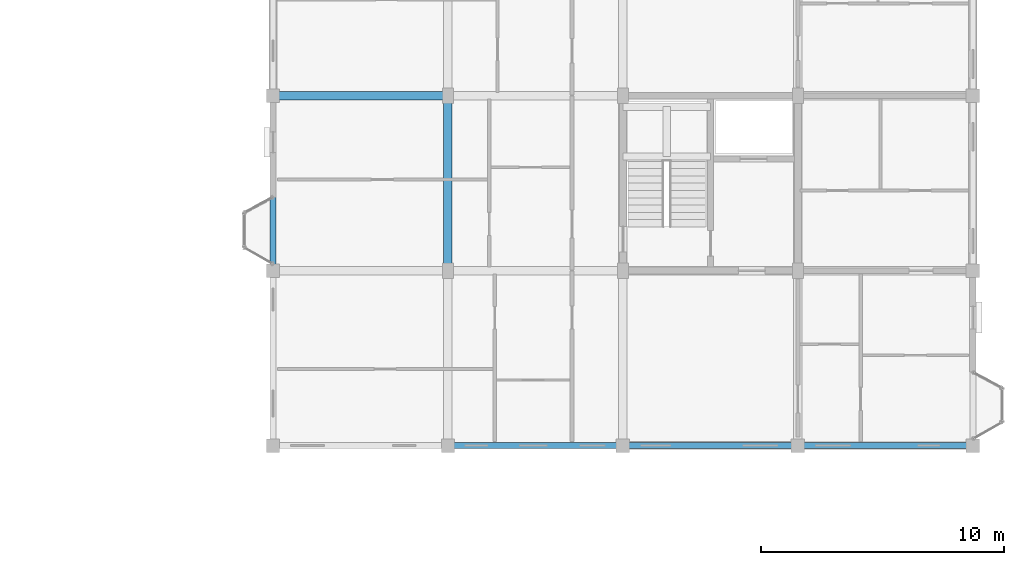
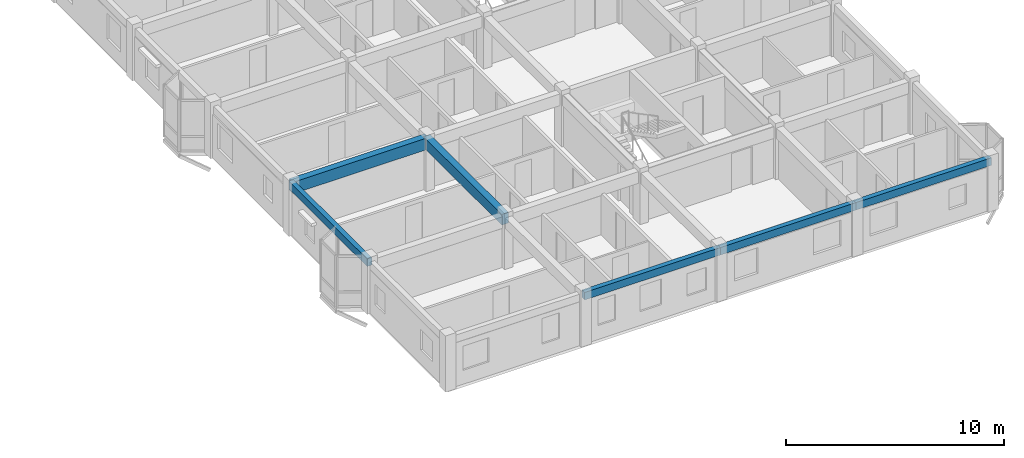
# One storey, part 22 of 77: 6 beams.
"""IFC4 building model written with IfcOpenShell, lengths in metres."""

from ifc_helpers import new_model, si_unit, direction, frame, origin, origin_2d, place, context, subcontext, project, spatial, rectangle, extrude, material, material_profile, profile_set, type_object, element, save


model = new_model("IFC4")

# Units and contexts
model_context = context("Model", 3, precision=1e-05, world=origin(), true_north=direction((0.0, 1.0)))
body_context = subcontext(model_context, "Body", "Model", "MODEL_VIEW")
ifc_project = project(units=[si_unit("LENGTHUNIT", "METRE"), si_unit("AREAUNIT", "SQUARE_METRE"), si_unit("VOLUMEUNIT", "CUBIC_METRE"), si_unit("PLANEANGLEUNIT", "RADIAN"), si_unit("MASSUNIT", "GRAM", prefix="KILO"), si_unit("THERMODYNAMICTEMPERATUREUNIT", "KELVIN"), si_unit("POWERUNIT", "WATT")], contexts=[model_context])

# Site, building, storey
site_placement = place(None, origin())
site = spatial("IfcSite", under=ifc_project, at=site_placement, CompositionType="ELEMENT")
building_placement = place(site_placement, origin())
building = spatial("IfcBuilding", under=site, at=building_placement, Name="Tavuni Mirador Residences", CompositionType="ELEMENT")
storey_placement = place(building_placement, frame((0.0, 0.0, 17.10009765625)))
storey = spatial("IfcBuildingStorey", under=building, at=storey_placement, Name="L05", CompositionType="ELEMENT", Elevation=17.10009765625)

# Beams
ifc_material = material(Name="Precast concrete C40/50", Category="concrete")
ifc_material_profile_1 = material_profile(ifc_material, rectangle(XDim=0.35009765625, YDim=0.60009765625, at=origin_2d()), Name="PC 350x600", Category="concrete")
ifc_profile_set_1 = profile_set([ifc_material_profile_1], Name="Precast concrete C40/50")
beam_type_1 = type_object("IfcBeamType", Name="BT-B600", PredefinedType="BEAM", material=ifc_profile_set_1)
beam_1_placement = place(storey_placement, frame((97.199951171875, 93.60009765625, 2.58984375), z_axis=(0.0, 1.0, 0.0), x_axis=(-1.0, 0.0, 0.0)))
element("IfcBeam", 1, at=beam_1_placement, inside=storey, type_object=beam_type_1, Name="BMY-BLK-D-L05-01-01", PredefinedType="BEAM", context=body_context, shape_type="SweptSolid", body=[
    extrude(rectangle(XDim=0.35009765625, YDim=0.60009765625, at=origin_2d()), origin(), (0.0, 0.0, 1.0), 7.199951171875),
])
ifc_material_profile_2 = material_profile(ifc_material, rectangle(XDim=0.35009765625, YDim=0.64990234375, at=origin_2d()), Name="PC 350x650", Category="concrete")
ifc_profile_set_2 = profile_set([ifc_material_profile_2], Name="Precast concrete C40/50")
beam_type_2 = type_object("IfcBeamType", Name="BT-B650", PredefinedType="BEAM", material=ifc_profile_set_2)
beam_2_placement = place(storey_placement, frame((90.0, 100.800048828125, 2.56494140625), z_axis=(1.0, 0.0, 0.0), x_axis=(0.0, 1.0, 0.0)))
element("IfcBeam", 2, at=beam_2_placement, inside=storey, type_object=beam_type_2, Name="BMX-BLK-D-L05-00-02", PredefinedType="BEAM", context=body_context, shape_type="SweptSolid", body=[
    extrude(rectangle(XDim=0.35009765625, YDim=0.64990234375, at=origin_2d()), origin(), (0.0, 0.0, 1.0), 7.199951171875),
])
ifc_material_profile_3 = material_profile(ifc_material, rectangle(XDim=0.25, YDim=0.419921875, at=origin_2d()), Name="PC 250x420", Category="concrete")
ifc_profile_set_3 = profile_set([ifc_material_profile_3], Name="Precast concrete C40/50")
beam_type_3 = type_object("IfcBeamType", Name="BT-SP420", PredefinedType="SPANDREL", material=ifc_profile_set_3)
beam_3_placement = place(storey_placement, frame((97.199951171875, 86.39990234375, 2.679931640625), z_axis=(1.0, 0.0, 0.0), x_axis=(0.0, 1.0, 0.0)))
element("IfcBeam", 3, at=beam_3_placement, inside=storey, type_object=beam_type_3, Name="BMX-BLK-D-L05-01-00", PredefinedType="SPANDREL", context=body_context, shape_type="SweptSolid", body=[
    extrude(rectangle(XDim=0.25, YDim=0.419921875, at=origin_2d()), origin(), (0.0, 0.0, 1.0), 7.199951171875),
])
beam_4_placement = place(storey_placement, frame((104.39990234375, 86.39990234375, 2.679931640625), z_axis=(1.0, 0.0, 0.0), x_axis=(0.0, 1.0, 0.0)))
element("IfcBeam", 4, at=beam_4_placement, inside=storey, type_object=beam_type_3, Name="BMX-BLK-D-L05-02-00", PredefinedType="SPANDREL", context=body_context, shape_type="SweptSolid", body=[
    extrude(rectangle(XDim=0.25, YDim=0.419921875, at=origin_2d()), origin(), (0.0, 0.0, 1.0), 7.2001953125),
])
for number, where, z_axis, x_axis, name in (
    (5, (111.60009765625, 86.39990234375, 2.679931640625), (1.0, 0.0, 0.0), (0.0, 1.0, 0.0), "BMX-BLK-D-L05-03-00"),
    (6, (90.0, 93.60009765625, 2.679931640625), (0.0, 1.0, 0.0), (-1.0, 0.0, 0.0), "BMY-BLK-D-L05-00-01"),
):
    element("IfcBeam", number, at=place(storey_placement, frame(where, z_axis=z_axis, x_axis=x_axis)), inside=storey, type_object=beam_type_3, Name=name, PredefinedType="SPANDREL", context=body_context, shape_type="SweptSolid", body=[
        extrude(rectangle(XDim=0.25, YDim=0.419921875, at=origin_2d()), origin(), (0.0, 0.0, 1.0), 7.199951171875),
    ])

save(model, "model.ifc")
